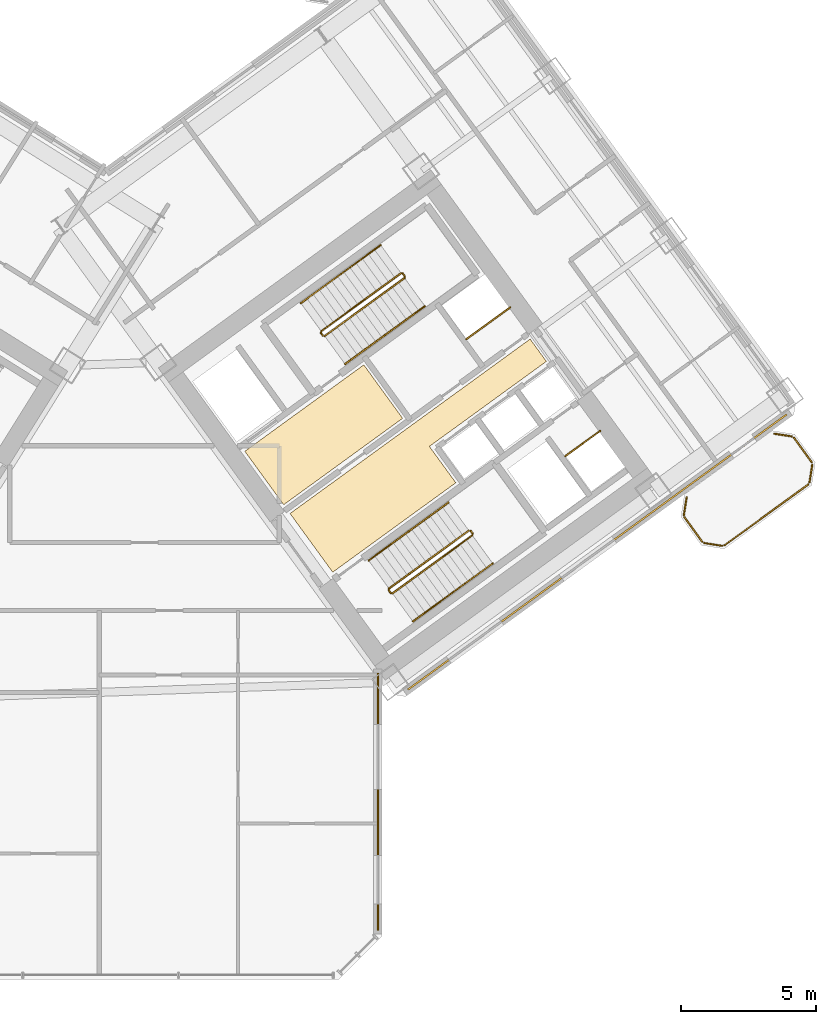
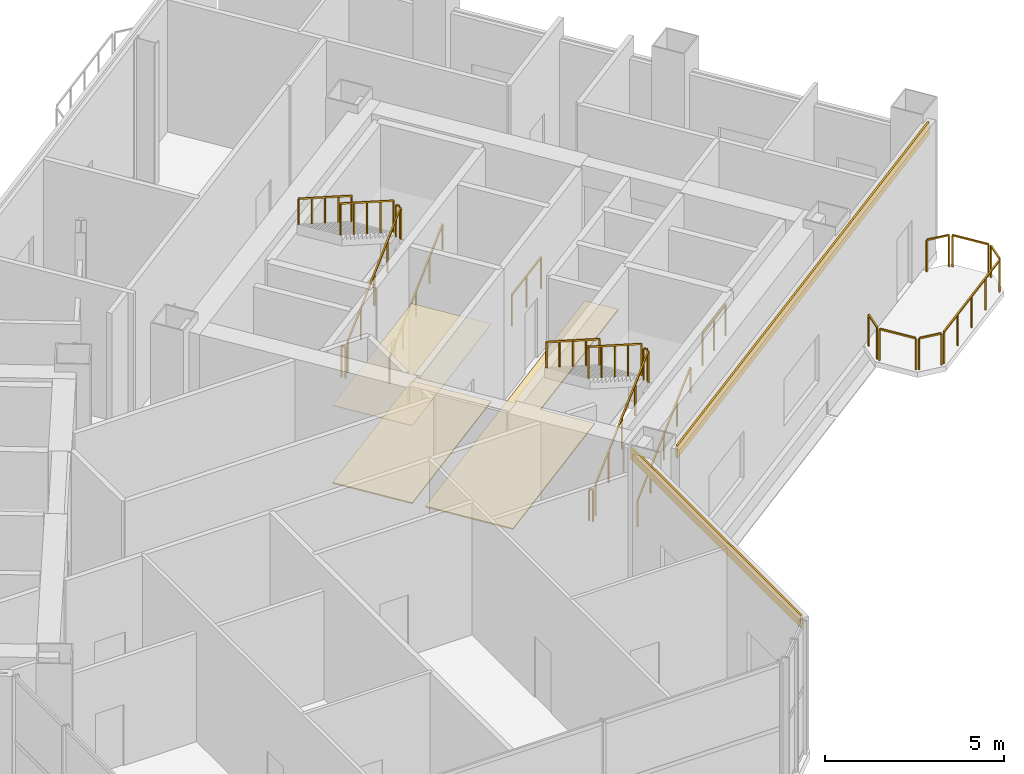
# One storey, part 21 of 22: 25 railings, 5 coverings.
"""IFC4 building model written with IfcOpenShell, lengths in metres."""

from ifc_helpers import new_model, si_unit, direction, frame, origin, origin_2d, place, context, subcontext, project, spatial, polyline, rectangle, outline, extrude, source, transform, mapped, material, layer, layer_set, type_object, element, save


model = new_model("IFC4")

# Units and contexts
model_context = context("Model", 3, precision=1e-05, world=origin(), true_north=direction((0.0, 1.0)))
body_context = subcontext(model_context, "Body", "Model", "MODEL_VIEW")
ifc_project = project(units=[si_unit("LENGTHUNIT", "METRE"), si_unit("AREAUNIT", "SQUARE_METRE"), si_unit("VOLUMEUNIT", "CUBIC_METRE"), si_unit("PLANEANGLEUNIT", "RADIAN"), si_unit("MASSUNIT", "GRAM", prefix="KILO")], contexts=[model_context])

# Site, building, storey
site_placement = place(None, origin())
site = spatial("IfcSite", under=ifc_project, at=site_placement, CompositionType="ELEMENT")
building_placement = place(site_placement, origin())
building = spatial("IfcBuilding", under=site, at=building_placement, Name="Tlacorven Tower", CompositionType="ELEMENT")
storey_placement = place(building_placement, frame((0.0, 0.0, 71.699951171875)))
storey = spatial("IfcBuildingStorey", under=building, at=storey_placement, Name="L18", CompositionType="ELEMENT", Elevation=71.699951171875)

# Coverings
ifc_material_1 = material(Name="Acoustic mineral-fibre ceiling")
ifc_layer_1 = layer(ifc_material_1, 0.02490234375)
ifc_layer_set_1 = layer_set([ifc_layer_1], Name="Acoustic mineral-fibre ceiling")
covering_type_1 = type_object("IfcCoveringType", Name="CV-CLG-ACST", PredefinedType="CEILING", material=ifc_layer_set_1)
covering_1_placement = place(storey_placement, frame((0.0, 0.0, 2.650146484375)))
element("IfcCovering", 1, at=covering_1_placement, inside=storey, type_object=covering_type_1, Name="L18 Acoustic Suspended Ceiling 3", PredefinedType="CEILING", context=body_context, shape_type="SweptSolid", body=[
    extrude(outline(polyline([(48.760498046875, 19.326171875), (47.326171875, 21.300048828125), (51.71923828125, 24.49169921875), (53.1533203125, 22.517822265625), (48.760498046875, 19.326171875)])), origin(), (0.0, 0.0, 1.0), 0.02490234375),
])
ifc_material_2 = material(Name="Terrazzo and ceramic flooring")
ifc_layer_2 = layer(ifc_material_2, 0.0400390625)
ifc_layer_set_2 = layer_set([ifc_layer_2], Name="Terrazzo and ceramic flooring")
covering_type_2 = type_object("IfcCoveringType", Name="CV-FLR-TERZ", PredefinedType="FLOORING", material=ifc_layer_set_2)
covering_2_placement = place(storey_placement, origin())
element("IfcCovering", 2, at=covering_2_placement, inside=storey, type_object=covering_type_2, Name="L18 Terrazzo Floor Finish 3", PredefinedType="FLOORING", context=body_context, shape_type="SweptSolid", body=[
    extrude(outline(polyline([(48.760498046875, 19.326171875), (47.326171875, 21.300048828125), (51.71923828125, 24.49169921875), (53.1533203125, 22.517822265625), (48.760498046875, 19.326171875)])), origin(), (0.0, 0.0, 1.0), 0.0400390625),
])
covering_3_placement = place(storey_placement, origin())
element("IfcCovering", 3, at=covering_3_placement, inside=storey, type_object=covering_type_2, Name="L18 Terrazzo Floor Finish 4", PredefinedType="FLOORING", context=body_context, shape_type="SweptSolid", body=[
    extrude(outline(polyline([(50.57080078125, 16.834228515625), (48.99560546875, 19.00244140625), (57.8623046875, 25.444580078125), (58.4619140625, 24.619384765625), (54.141845703125, 21.480712890625), (55.117431640625, 20.1376953125), (50.57080078125, 16.834228515625)])), origin(), (0.0, 0.0, 1.0), 0.0400390625),
])

# Railings
ifc_material_3 = material(Name="Aluminium and painted steel balustrade", Category="steel")
railing_type_1 = type_object("IfcRailingType", Name="RL-GRD-1100", PredefinedType="GUARDRAIL", material=ifc_material_3)
shared_shape_1 = source(origin(), body_context, "Body", "SweptSolid", [
    extrude(rectangle(XDim=0.048095703125, YDim=0.048095703125, at=origin_2d()), frame((0.0, 0.0, 1.076171875), z_axis=(0.808947177504, 0.587881334972, 0.0), x_axis=(-0.587881334972, 0.808947177504, 0.0)), (0.0, 0.0, 1.0), 2.0),
    extrude(rectangle(XDim=0.0419921875, YDim=0.0419921875, at=origin_2d()), origin(), (0.0, 0.0, 1.0), 1.052001953125),
    extrude(rectangle(XDim=0.0419921875, YDim=0.0419921875, at=origin_2d()), frame((0.80908203125, 0.587890625, 0.0)), (0.0, 0.0, 1.0), 1.052001953125),
    extrude(rectangle(XDim=0.0419921875, YDim=0.0419921875, at=origin_2d()), frame((1.617919921875, 1.17578125, 0.0)), (0.0, 0.0, 1.0), 1.052001953125),
])
railing_1_placement = place(storey_placement, frame((55.506103515625, 25.438232421875, 0.0)))
element("IfcRailing", 4, at=railing_1_placement, inside=storey, type_object=railing_type_1, Name="L18 Electrical Riser E Shaft Guard 1", PredefinedType="GUARDRAIL", context=body_context, shape_type="MappedRepresentation", body=[
    mapped(shared_shape_1, transform((0.0, 0.0, 0.0), scale=1.0)),
])
shared_shape_2 = source(origin(), body_context, "Body", "SweptSolid", [
    extrude(rectangle(XDim=0.048095703125, YDim=0.048095703125, at=origin_2d()), frame((0.0, 0.0, 1.076171875), z_axis=(0.809029975545, 0.58776738483, 0.0), x_axis=(-0.58776738483, 0.809029975545, 0.0)), (0.0, 0.0, 1.0), 1.580078125),
    extrude(rectangle(XDim=0.0419921875, YDim=0.0419921875, at=origin_2d()), origin(), (0.0, 0.0, 1.0), 1.052001953125),
    extrude(rectangle(XDim=0.0419921875, YDim=0.0419921875, at=origin_2d()), frame((0.63916015625, 0.46435546875, 0.0)), (0.0, 0.0, 1.0), 1.052001953125),
    extrude(rectangle(XDim=0.0419921875, YDim=0.0419921875, at=origin_2d()), frame((1.2783203125, 0.9287109375, 0.0)), (0.0, 0.0, 1.0), 1.052001953125),
])
railing_2_placement = place(storey_placement, frame((59.160888671875, 21.122314453125, 0.0)))
element("IfcRailing", 5, at=railing_2_placement, inside=storey, type_object=railing_type_1, Name="L18 Smoke Riser E Shaft Guard 1", PredefinedType="GUARDRAIL", context=body_context, shape_type="MappedRepresentation", body=[
    mapped(shared_shape_2, transform((0.0, 0.0, 0.0), scale=1.0)),
])
railing_type_2 = type_object("IfcRailingType", Name="RL-BAL-1100", PredefinedType="BALUSTRADE", material=ifc_material_3)
shared_shape_3 = source(origin(), body_context, "Body", "SweptSolid", [
    extrude(rectangle(XDim=0.048095703125, YDim=0.048095703125, at=origin_2d()), frame((0.0, 0.0, 1.076171875), z_axis=(0.156602868908, 0.987661653326, 0.0), x_axis=(-0.987661653326, 0.156602868908, 0.0)), (0.0, 0.0, 1.0), 0.665771484375),
    extrude(rectangle(XDim=0.0419921875, YDim=0.0419921875, at=origin_2d()), origin(), (0.0, 0.0, 1.0), 1.052001953125),
    extrude(rectangle(XDim=0.0419921875, YDim=0.0419921875, at=origin_2d()), frame((0.104248046875, 0.657470703125, 0.0)), (0.0, 0.0, 1.0), 1.052001953125),
])
railing_3_placement = place(storey_placement, frame((63.539306640625, 18.949951171875, 0.0)))
element("IfcRailing", 6, at=railing_3_placement, inside=storey, type_object=railing_type_2, Name="BAL-L18-E-OUT Guard Railing 3", PredefinedType="BALUSTRADE", context=body_context, shape_type="MappedRepresentation", body=[
    mapped(shared_shape_3, transform((0.0, 0.0, 0.0), scale=1.0)),
])
shared_shape_4 = source(origin(), body_context, "Body", "SweptSolid", [
    extrude(rectangle(XDim=0.048095703125, YDim=0.048095703125, at=origin_2d()), frame((0.0, 0.0, 1.076171875), z_axis=(0.58788449985, -0.808944877501, 0.0), x_axis=(0.808944877501, 0.58788449985, 0.0)), (0.0, 0.0, 1.0), 1.112060546875),
    extrude(rectangle(XDim=0.0419921875, YDim=0.0419921875, at=origin_2d()), origin(), (0.0, 0.0, 1.0), 1.052001953125),
    extrude(rectangle(XDim=0.0419921875, YDim=0.0419921875, at=origin_2d()), frame((0.65380859375, -0.899658203125, 0.0)), (0.0, 0.0, 1.0), 1.052001953125),
])
railing_4_placement = place(storey_placement, frame((67.60595703125, 21.799072265625, 0.0)))
element("IfcRailing", 7, at=railing_4_placement, inside=storey, type_object=railing_type_2, Name="BAL-L18-E-OUT Guard Railing 5", PredefinedType="BALUSTRADE", context=body_context, shape_type="MappedRepresentation", body=[
    mapped(shared_shape_4, transform((0.0, 0.0, 0.0), scale=1.0)),
])
shared_shape_5 = source(origin(), body_context, "Body", "SweptSolid", [
    extrude(rectangle(XDim=0.048095703125, YDim=0.048095703125, at=origin_2d()), frame((0.0, 0.0, 1.076171875), z_axis=(-0.809018102573, -0.587783726986, 0.0), x_axis=(0.587783726986, -0.809018102573, 0.0)), (0.0, 0.0, 1.0), 3.817138671875),
    extrude(rectangle(XDim=0.0419921875, YDim=0.0419921875, at=origin_2d()), origin(), (0.0, 0.0, 1.0), 1.052001953125),
    extrude(rectangle(XDim=0.0419921875, YDim=0.0419921875, at=origin_2d()), frame((-0.77197265625, -0.56103515625, 0.0)), (0.0, 0.0, 1.0), 1.052001953125),
    extrude(rectangle(XDim=0.0419921875, YDim=0.0419921875, at=origin_2d()), frame((-1.5439453125, -1.121826171875, 0.0)), (0.0, 0.0, 1.0), 1.052001953125),
    extrude(rectangle(XDim=0.0419921875, YDim=0.0419921875, at=origin_2d()), frame((-2.316162109375, -1.6826171875, 0.0)), (0.0, 0.0, 1.0), 1.052001953125),
    extrude(rectangle(XDim=0.0419921875, YDim=0.0419921875, at=origin_2d()), frame((-3.088134765625, -2.24365234375, 0.0)), (0.0, 0.0, 1.0), 1.052001953125),
])
railing_5_placement = place(storey_placement, frame((68.12890625, 20.0732421875, 0.0)))
element("IfcRailing", 8, at=railing_5_placement, inside=storey, type_object=railing_type_2, Name="BAL-L18-E-OUT Guard Railing 7", PredefinedType="BALUSTRADE", context=body_context, shape_type="MappedRepresentation", body=[
    mapped(shared_shape_5, transform((0.0, 0.0, 0.0), scale=1.0)),
])
shared_shape_6 = source(origin(), body_context, "Body", "SweptSolid", [
    extrude(rectangle(XDim=0.048095703125, YDim=0.048095703125, at=origin_2d()), frame((0.0, 0.0, 1.076171875), z_axis=(-0.987718317463, 0.156245081039, 0.0), x_axis=(-0.156245081039, -0.987718317463, 0.0)), (0.0, 0.0, 1.0), 0.66552734375),
    extrude(rectangle(XDim=0.0419921875, YDim=0.0419921875, at=origin_2d()), origin(), (0.0, 0.0, 1.0), 1.052001953125),
    extrude(rectangle(XDim=0.0419921875, YDim=0.0419921875, at=origin_2d()), frame((-0.657470703125, 0.10400390625, 0.0)), (0.0, 0.0, 1.0), 1.052001953125),
])
railing_6_placement = place(storey_placement, frame((64.950927734375, 17.80810546875, 0.0)))
element("IfcRailing", 9, at=railing_6_placement, inside=storey, type_object=railing_type_2, Name="BAL-L18-E-OUT Guard Railing 1", PredefinedType="BALUSTRADE", context=body_context, shape_type="MappedRepresentation", body=[
    mapped(shared_shape_6, transform((0.0, 0.0, 0.0), scale=1.0)),
])
shared_shape_7 = source(origin(), body_context, "Body", "SweptSolid", [
    extrude(rectangle(XDim=0.048095703125, YDim=0.048095703125, at=origin_2d()), frame((0.0, 0.0, 1.076171875), z_axis=(-0.587740817519, 0.809049276263, 0.0), x_axis=(-0.809049276263, -0.587740817519, 0.0)), (0.0, 0.0, 1.0), 1.112060546875),
    extrude(rectangle(XDim=0.0419921875, YDim=0.0419921875, at=origin_2d()), origin(), (0.0, 0.0, 1.0), 1.052001953125),
    extrude(rectangle(XDim=0.0419921875, YDim=0.0419921875, at=origin_2d()), frame((-0.653564453125, 0.899658203125, 0.0)), (0.0, 0.0, 1.0), 1.052001953125),
])
railing_7_placement = place(storey_placement, frame((64.214599609375, 17.96044921875, 0.0)))
element("IfcRailing", 10, at=railing_7_placement, inside=storey, type_object=railing_type_2, Name="BAL-L18-E-OUT Guard Railing 2", PredefinedType="BALUSTRADE", context=body_context, shape_type="MappedRepresentation", body=[
    mapped(shared_shape_7, transform((0.0, 0.0, 0.0), scale=1.0)),
])
shared_shape_8 = source(origin(), body_context, "Body", "SweptSolid", [
    extrude(rectangle(XDim=0.048095703125, YDim=0.048095703125, at=origin_2d()), frame((0.0, 0.0, 1.076171875), z_axis=(-0.156245081039, -0.987718317463, 0.0), x_axis=(0.987718317463, -0.156245081039, 0.0)), (0.0, 0.0, 1.0), 0.66552734375),
    extrude(rectangle(XDim=0.0419921875, YDim=0.0419921875, at=origin_2d()), origin(), (0.0, 0.0, 1.0), 1.052001953125),
    extrude(rectangle(XDim=0.0419921875, YDim=0.0419921875, at=origin_2d()), frame((-0.10400390625, -0.657470703125, 0.0)), (0.0, 0.0, 1.0), 1.052001953125),
])
railing_8_placement = place(storey_placement, frame((68.28125, 20.8095703125, 0.0)))
element("IfcRailing", 11, at=railing_8_placement, inside=storey, type_object=railing_type_2, Name="BAL-L18-E-OUT Guard Railing 6", PredefinedType="BALUSTRADE", context=body_context, shape_type="MappedRepresentation", body=[
    mapped(shared_shape_8, transform((0.0, 0.0, 0.0), scale=1.0)),
])

# Coverings
ifc_material_4 = material(Name="Precast concrete C45/55", Category="concrete")
ifc_layer_3 = layer(ifc_material_4, 0.06005859375)
ifc_layer_set_3 = layer_set([ifc_layer_3], Name="Precast concrete C45/55")
covering_type_3 = type_object("IfcCoveringType", Name="CV-CLD-TERC", PredefinedType="CLADDING", material=ifc_layer_set_3)
shared_shape_9 = source(origin(), body_context, "Body", "SweptSolid", [
    extrude(rectangle(XDim=17.287353515625, YDim=0.06005859375, at=origin_2d()), origin(), (0.0, 0.0, 1.0), 0.419921875),
])
covering_4_placement = place(storey_placement, frame((60.339111328125, 17.578125, 4.10009765625), z_axis=(0.0, 0.0, 1.0), x_axis=(-0.809016829126, -0.587785479738, 0.0)))
element("IfcCovering", 12, at=covering_4_placement, inside=storey, type_object=covering_type_3, Name="L18 Masonry-Frame Spandrel Cladding 6", PredefinedType="CLADDING", context=body_context, shape_type="MappedRepresentation", body=[
    mapped(shared_shape_9, transform((0.0, 0.0, 0.0), scale=1.0)),
])
shared_shape_10 = source(origin(), body_context, "Body", "SweptSolid", [
    extrude(rectangle(XDim=9.49462890625, YDim=0.06005859375, at=origin_2d()), origin(), (0.0, 0.0, 1.0), 0.419921875),
])
covering_5_placement = place(storey_placement, frame((52.239990234375, 8.363525390625, 4.10009765625), z_axis=(0.0, 0.0, 1.0), x_axis=(0.0, -1.0, 0.0)))
element("IfcCovering", 13, at=covering_5_placement, inside=storey, type_object=covering_type_3, Name="L18 Masonry-Frame Spandrel Cladding 7", PredefinedType="CLADDING", context=body_context, shape_type="MappedRepresentation", body=[
    mapped(shared_shape_10, transform((0.0, 0.0, 0.0), scale=1.0)),
])

# Railings
shared_shape_11 = source(origin(), body_context, "Body", "SweptSolid", [
    extrude(rectangle(XDim=0.048095703125, YDim=0.048095703125, at=origin_2d()), frame((0.0, 0.0, 1.076171875), z_axis=(0.987727266442, -0.156188498702, 0.0), x_axis=(0.156188498702, 0.987727266442, 0.0)), (0.0, 0.0, 1.0), 0.665771484375),
    extrude(rectangle(XDim=0.0419921875, YDim=0.0419921875, at=origin_2d()), origin(), (0.0, 0.0, 1.0), 1.052001953125),
    extrude(rectangle(XDim=0.0419921875, YDim=0.0419921875, at=origin_2d()), frame((0.65771484375, -0.10400390625, 0.0)), (0.0, 0.0, 1.0), 1.052001953125),
])
railing_9_placement = place(storey_placement, frame((66.86962890625, 21.951416015625, 0.0)))
element("IfcRailing", 14, at=railing_9_placement, inside=storey, type_object=railing_type_2, Name="BAL-L18-E-OUT Guard Railing 4", PredefinedType="BALUSTRADE", context=body_context, shape_type="MappedRepresentation", body=[
    mapped(shared_shape_11, transform((0.0, 0.0, 0.0), scale=1.0)),
])
shared_shape_12 = source(origin(), body_context, "Body", "SweptSolid", [
    extrude(rectangle(XDim=0.048095703125, YDim=0.048095703125, at=origin_2d()), frame((0.0, 0.0, 1.076171875), z_axis=(-0.587567097037, 0.809175448515, 0.0), x_axis=(-0.809175448515, -0.587567097037, 0.0)), (0.0, 0.0, 1.0), 0.1201171875),
    extrude(rectangle(XDim=0.0419921875, YDim=0.0419921875, at=origin_2d()), origin(), (0.0, 0.0, 1.0), 1.052001953125),
    extrude(rectangle(XDim=0.0419921875, YDim=0.0419921875, at=origin_2d()), frame((-0.070556640625, 0.09716796875, 0.0)), (0.0, 0.0, 1.0), 1.052001953125),
])
for number, where, name in (
    (15, (53.233154296875, 27.76708984375, 2.400146484375), "L18 ST-E1 stair guard 2"),
    (16, (55.737060546875, 18.263916015625, 2.400146484375), "L18 ST-E2 stair guard 2"),
    (17, (52.71142578125, 16.065673828125, 0.0), "L18 ST-E2 stair guard 4"),
):
    element("IfcRailing", number, at=place(storey_placement, frame(where)), inside=storey, type_object=railing_type_1, Name=name, PredefinedType="GUARDRAIL", context=body_context, shape_type="MappedRepresentation", body=[
        mapped(shared_shape_12, transform((0.0, 0.0, 0.0), scale=1.0)),
    ])
shared_shape_13 = source(origin(), body_context, "Body", "SweptSolid", [
    extrude(rectangle(XDim=0.048095703125, YDim=0.048095703125, at=origin_2d()), frame((0.0, 0.0, 1.076171875), z_axis=(-0.689987059858, -0.501273139242, 0.522152369623), x_axis=(0.587760844897, -0.809034726823, 0.0)), (0.0, 0.0, 1.0), 4.267822265625),
    extrude(rectangle(XDim=0.0419921875, YDim=0.0419921875, at=origin_2d()), origin(), (0.0, 0.0, 1.0), 1.052001953125),
    extrude(rectangle(XDim=0.0419921875, YDim=0.0419921875, at=origin_2d()), frame((-0.736328125, -0.534912109375, 0.55712890625)), (0.0, 0.0, 1.0), 1.052001953125),
    extrude(rectangle(XDim=0.0419921875, YDim=0.0419921875, at=origin_2d()), frame((-1.472412109375, -1.06982421875, 1.1142578125)), (0.0, 0.0, 1.0), 1.052001953125),
    extrude(rectangle(XDim=0.0419921875, YDim=0.0419921875, at=origin_2d()), frame((-2.20849609375, -1.6044921875, 1.67138671875)), (0.0, 0.0, 1.0), 1.052001953125),
    extrude(rectangle(XDim=0.0419921875, YDim=0.0419921875, at=origin_2d()), frame((-2.94482421875, -2.139404296875, 2.228515625)), (0.0, 0.0, 1.0), 1.052001953125),
])
for number, where, name in (
    (18, (53.0927734375, 27.875244140625, 2.571533203125), "L18 ST-E1 stair guard 3"),
    (19, (55.5966796875, 18.3720703125, 2.571533203125), "L18 ST-E2 stair guard 3"),
):
    element("IfcRailing", number, at=place(storey_placement, frame(where)), inside=storey, type_object=railing_type_1, Name=name, PredefinedType="GUARDRAIL", context=body_context, shape_type="MappedRepresentation", body=[
        mapped(shared_shape_13, transform((0.0, 0.0, 0.0), scale=1.0)),
    ])
shared_shape_14 = source(origin(), body_context, "Body", "SweptSolid", [
    extrude(rectangle(XDim=0.048095703125, YDim=0.048095703125, at=origin_2d()), frame((0.0, 0.0, 1.076171875), z_axis=(-0.587201422542, 0.809440849824, 0.0), x_axis=(-0.809440849824, -0.587201422542, 0.0)), (0.0, 0.0, 1.0), 0.11962890625),
    extrude(rectangle(XDim=0.0419921875, YDim=0.0419921875, at=origin_2d()), origin(), (0.0, 0.0, 1.0), 1.052001953125),
    extrude(rectangle(XDim=0.0419921875, YDim=0.0419921875, at=origin_2d()), frame((-0.0703125, 0.096923828125, 0.0)), (0.0, 0.0, 1.0), 1.052001953125),
])
railing_10_placement = place(storey_placement, frame((50.207275390625, 25.56884765625, 0.0)))
element("IfcRailing", 20, at=railing_10_placement, inside=storey, type_object=railing_type_1, Name="L18 ST-E1 stair guard 4", PredefinedType="GUARDRAIL", context=body_context, shape_type="MappedRepresentation", body=[
    mapped(shared_shape_14, transform((0.0, 0.0, 0.0), scale=1.0)),
])
railing_type_3 = type_object("IfcRailingType", Name="RL-HND-0900", PredefinedType="HANDRAIL", material=ifc_material_3)
shared_shape_15 = source(origin(), body_context, "Body", "SweptSolid", [
    extrude(rectangle(XDim=0.048095703125, YDim=0.048095703125, at=origin_2d()), frame((0.0, 0.0, 0.8759765625), z_axis=(0.689967274537, 0.501315967008, 0.522137396947), x_axis=(-0.587804744085, 0.8090028324, 0.0)), (0.0, 0.0, 1.0), 2.134033203125),
    extrude(rectangle(XDim=0.0419921875, YDim=0.0419921875, at=origin_2d()), origin(), (0.0, 0.0, 1.0), 0.851806640625),
    extrude(rectangle(XDim=0.0419921875, YDim=0.0419921875, at=origin_2d()), frame((0.736328125, 0.534912109375, 0.55712890625)), (0.0, 0.0, 1.0), 0.851806640625),
    extrude(rectangle(XDim=0.0419921875, YDim=0.0419921875, at=origin_2d()), frame((1.472412109375, 1.06982421875, 1.1142578125)), (0.0, 0.0, 1.0), 0.851806640625),
])
for number, where, name in (
    (21, (51.029541015625, 24.522216796875, 0.17138671875), "L18 ST-E1 stair handrail 1"),
    (22, (53.53369140625, 15.01904296875, 0.17138671875), "L18 ST-E2 stair handrail 1"),
):
    element("IfcRailing", number, at=place(storey_placement, frame(where)), inside=storey, type_object=railing_type_3, Name=name, PredefinedType="HANDRAIL", context=body_context, shape_type="MappedRepresentation", body=[
        mapped(shared_shape_15, transform((0.0, 0.0, 0.0), scale=1.0)),
    ])
shared_shape_16 = source(origin(), body_context, "Body", "SweptSolid", [
    extrude(rectangle(XDim=0.048095703125, YDim=0.048095703125, at=origin_2d()), frame((0.0, 0.0, 0.8759765625), z_axis=(-0.689967274537, -0.501315967008, 0.522137396947), x_axis=(0.587804744085, -0.8090028324, 0.0)), (0.0, 0.0, 1.0), 2.134033203125),
    extrude(rectangle(XDim=0.0419921875, YDim=0.0419921875, at=origin_2d()), origin(), (0.0, 0.0, 1.0), 0.851806640625),
    extrude(rectangle(XDim=0.0419921875, YDim=0.0419921875, at=origin_2d()), frame((-0.736328125, -0.534912109375, 0.55712890625)), (0.0, 0.0, 1.0), 0.851806640625),
    extrude(rectangle(XDim=0.0419921875, YDim=0.0419921875, at=origin_2d()), frame((-1.472412109375, -1.06982421875, 1.1142578125)), (0.0, 0.0, 1.0), 0.851806640625),
])
for number, where, name in (
    (23, (52.34033203125, 28.910888671875, 2.571533203125), "L18 ST-E1 stair handrail 3"),
    (24, (50.867919921875, 27.841064453125, 3.685791015625), "L18 ST-E1 stair handrail 4"),
    (25, (54.844482421875, 19.40771484375, 2.571533203125), "L18 ST-E2 stair handrail 3"),
    (26, (53.3720703125, 18.337890625, 3.685791015625), "L18 ST-E2 stair handrail 4"),
):
    element("IfcRailing", number, at=place(storey_placement, frame(where)), inside=storey, type_object=railing_type_3, Name=name, PredefinedType="HANDRAIL", context=body_context, shape_type="MappedRepresentation", body=[
        mapped(shared_shape_16, transform((0.0, 0.0, 0.0), scale=1.0)),
    ])
shared_shape_17 = source(origin(), body_context, "Body", "SweptSolid", [
    extrude(rectangle(XDim=0.048095703125, YDim=0.048095703125, at=origin_2d()), frame((0.0, 0.0, 1.076171875), z_axis=(0.689936478142, 0.501277950249, 0.522214584939), x_axis=(-0.587792740661, 0.809011553704, 0.0)), (0.0, 0.0, 1.0), 4.267822265625),
    extrude(rectangle(XDim=0.0419921875, YDim=0.0419921875, at=origin_2d()), origin(), (0.0, 0.0, 1.0), 1.052001953125),
    extrude(rectangle(XDim=0.0419921875, YDim=0.0419921875, at=origin_2d()), frame((0.736083984375, 0.534912109375, 0.55712890625)), (0.0, 0.0, 1.0), 1.052001953125),
    extrude(rectangle(XDim=0.0419921875, YDim=0.0419921875, at=origin_2d()), frame((1.47216796875, 1.06982421875, 1.1142578125)), (0.0, 0.0, 1.0), 1.052001953125),
    extrude(rectangle(XDim=0.0419921875, YDim=0.0419921875, at=origin_2d()), frame((2.20849609375, 1.6044921875, 1.671630859375)), (0.0, 0.0, 1.0), 1.052001953125),
    extrude(rectangle(XDim=0.0419921875, YDim=0.0419921875, at=origin_2d()), frame((2.944580078125, 2.139404296875, 2.228759765625)), (0.0, 0.0, 1.0), 1.052001953125),
])
railing_11_placement = place(storey_placement, frame((50.27734375, 25.557861328125, 0.17138671875)))
element("IfcRailing", 27, at=railing_11_placement, inside=storey, type_object=railing_type_1, Name="L18 ST-E1 stair guard 1", PredefinedType="GUARDRAIL", context=body_context, shape_type="MappedRepresentation", body=[
    mapped(shared_shape_17, transform((0.0, 0.0, 0.0), scale=1.0)),
])
shared_shape_18 = source(origin(), body_context, "Body", "SweptSolid", [
    extrude(rectangle(XDim=0.048095703125, YDim=0.048095703125, at=origin_2d()), frame((0.0, 0.0, 0.8759765625), z_axis=(0.689965621981, 0.501200363107, 0.522250549551), x_axis=(-0.587716940517, 0.809066621379, 0.0)), (0.0, 0.0, 1.0), 2.134033203125),
    extrude(rectangle(XDim=0.0419921875, YDim=0.0419921875, at=origin_2d()), origin(), (0.0, 0.0, 1.0), 0.851806640625),
    extrude(rectangle(XDim=0.0419921875, YDim=0.0419921875, at=origin_2d()), frame((0.736328125, 0.53466796875, 0.55712890625)), (0.0, 0.0, 1.0), 0.851806640625),
    extrude(rectangle(XDim=0.0419921875, YDim=0.0419921875, at=origin_2d()), frame((1.472412109375, 1.069580078125, 1.114501953125)), (0.0, 0.0, 1.0), 0.851806640625),
])
railing_12_placement = place(storey_placement, frame((52.501953125, 25.592041015625, 1.28564453125)))
element("IfcRailing", 28, at=railing_12_placement, inside=storey, type_object=railing_type_3, Name="L18 ST-E1 stair handrail 2", PredefinedType="HANDRAIL", context=body_context, shape_type="MappedRepresentation", body=[
    mapped(shared_shape_18, transform((0.0, 0.0, 0.0), scale=1.0)),
])
shared_shape_19 = source(origin(), body_context, "Body", "SweptSolid", [
    extrude(rectangle(XDim=0.048095703125, YDim=0.048095703125, at=origin_2d()), frame((0.0, 0.0, 1.076171875), z_axis=(0.689966450515, 0.501258166628, 0.522193975025), x_axis=(-0.587760844897, 0.809034726823, 0.0)), (0.0, 0.0, 1.0), 4.26806640625),
    extrude(rectangle(XDim=0.0419921875, YDim=0.0419921875, at=origin_2d()), origin(), (0.0, 0.0, 1.0), 1.052001953125),
    extrude(rectangle(XDim=0.0419921875, YDim=0.0419921875, at=origin_2d()), frame((0.736328125, 0.534912109375, 0.55712890625)), (0.0, 0.0, 1.0), 1.052001953125),
    extrude(rectangle(XDim=0.0419921875, YDim=0.0419921875, at=origin_2d()), frame((1.472412109375, 1.06982421875, 1.1142578125)), (0.0, 0.0, 1.0), 1.052001953125),
    extrude(rectangle(XDim=0.0419921875, YDim=0.0419921875, at=origin_2d()), frame((2.20849609375, 1.6044921875, 1.671630859375)), (0.0, 0.0, 1.0), 1.052001953125),
    extrude(rectangle(XDim=0.0419921875, YDim=0.0419921875, at=origin_2d()), frame((2.94482421875, 2.139404296875, 2.228759765625)), (0.0, 0.0, 1.0), 1.052001953125),
])
railing_13_placement = place(storey_placement, frame((52.78125, 16.0546875, 0.17138671875)))
element("IfcRailing", 29, at=railing_13_placement, inside=storey, type_object=railing_type_1, Name="L18 ST-E2 stair guard 1", PredefinedType="GUARDRAIL", context=body_context, shape_type="MappedRepresentation", body=[
    mapped(shared_shape_19, transform((0.0, 0.0, 0.0), scale=1.0)),
])
shared_shape_20 = source(origin(), body_context, "Body", "SweptSolid", [
    extrude(rectangle(XDim=0.048095703125, YDim=0.048095703125, at=origin_2d()), frame((0.0, 0.0, 0.8759765625), z_axis=(0.689926058986, 0.501286020639, 0.522220603427), x_axis=(-0.587804744085, 0.8090028324, 0.0)), (0.0, 0.0, 1.0), 2.13427734375),
    extrude(rectangle(XDim=0.0419921875, YDim=0.0419921875, at=origin_2d()), origin(), (0.0, 0.0, 1.0), 0.851806640625),
    extrude(rectangle(XDim=0.0419921875, YDim=0.0419921875, at=origin_2d()), frame((0.736328125, 0.534912109375, 0.55712890625)), (0.0, 0.0, 1.0), 0.851806640625),
    extrude(rectangle(XDim=0.0419921875, YDim=0.0419921875, at=origin_2d()), frame((1.472412109375, 1.06982421875, 1.114501953125)), (0.0, 0.0, 1.0), 0.851806640625),
])
railing_14_placement = place(storey_placement, frame((55.006103515625, 16.0888671875, 1.28564453125)))
element("IfcRailing", 30, at=railing_14_placement, inside=storey, type_object=railing_type_3, Name="L18 ST-E2 stair handrail 2", PredefinedType="HANDRAIL", context=body_context, shape_type="MappedRepresentation", body=[
    mapped(shared_shape_20, transform((0.0, 0.0, 0.0), scale=1.0)),
])

save(model, "model.ifc")
